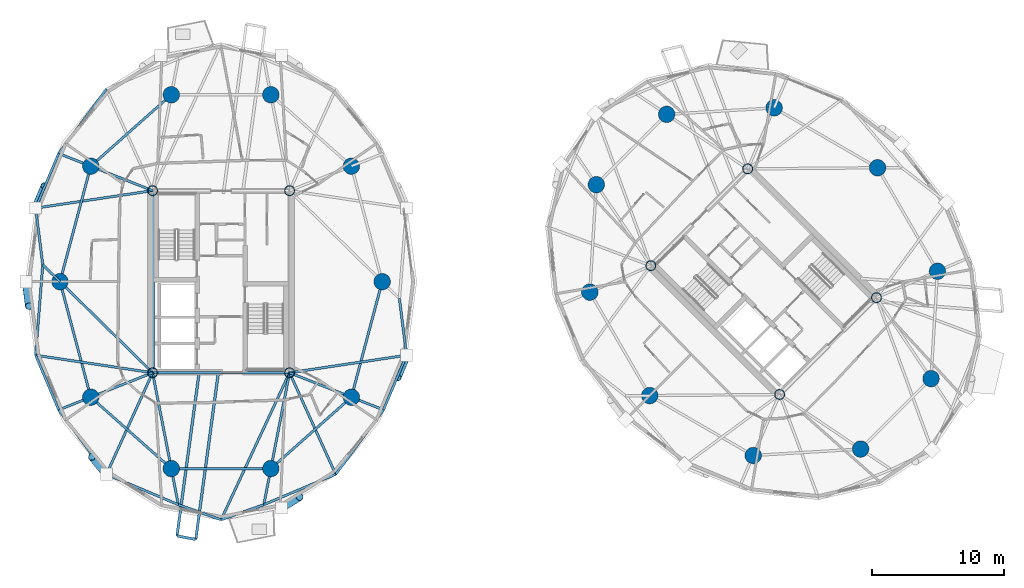
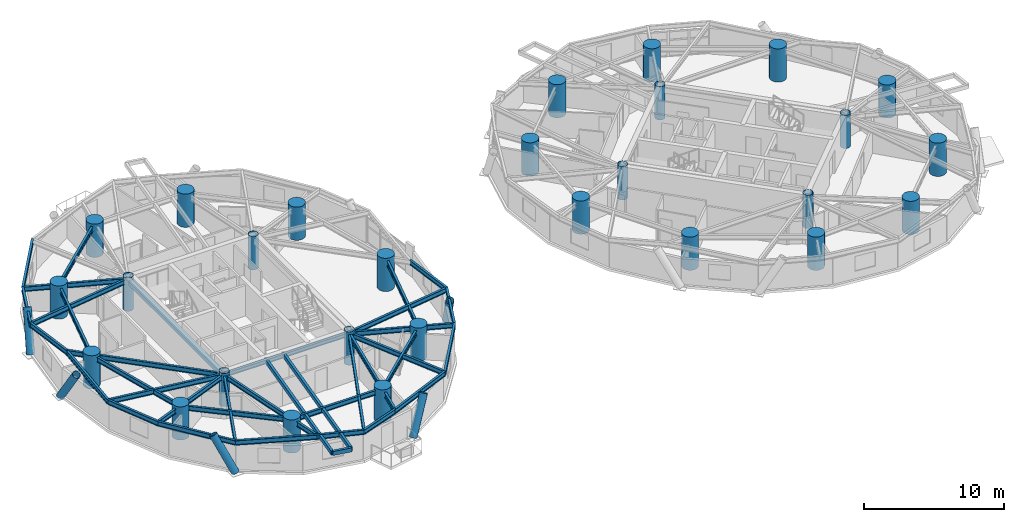
# One storey, part 1 of 19: 38 beams, 28 columns, 5 members.
"""IFC4 building model written with IfcOpenShell, lengths in metres."""

from ifc_helpers import new_model, si_unit, direction, frame, origin, origin_2d, place, context, subcontext, project, spatial, hollow_rectangle, circle, hollow_circle, i_section, extrude, material, material_profile, profile_set, type_object, element, save


model = new_model("IFC4")

# Units and contexts
model_context = context("Model", 3, precision=1e-05, world=origin(), true_north=direction((0.0, 1.0)))
body_context = subcontext(model_context, "Body", "Model", "MODEL_VIEW")
ifc_project = project(units=[si_unit("LENGTHUNIT", "METRE"), si_unit("AREAUNIT", "SQUARE_METRE"), si_unit("VOLUMEUNIT", "CUBIC_METRE"), si_unit("PLANEANGLEUNIT", "RADIAN"), si_unit("MASSUNIT", "GRAM", prefix="KILO")], contexts=[model_context])

# Site, building, storey
site_placement = place(None, origin())
site = spatial("IfcSite", under=ifc_project, at=site_placement, CompositionType="ELEMENT")
building_placement = place(site_placement, origin())
building = spatial("IfcBuilding", under=site, at=building_placement, Name="Cununo Teusaquillo Station Towers", CompositionType="ELEMENT")
storey_placement = place(building_placement, frame((0.0, 0.0, 151.60009765625)))
storey = spatial("IfcBuildingStorey", under=building, at=storey_placement, Name="L47", CompositionType="ELEMENT", Elevation=151.60009765625)

# Columns
ifc_material_1 = material(Name="Steel EN 10025-2 S355J2", Category="steel")
ifc_material_profile_1 = material_profile(ifc_material_1, hollow_circle(Radius=0.3798828125, WallThickness=0.031982421875, at=origin_2d()), Name="CHS 760x32")
ifc_profile_set_1 = profile_set([ifc_material_profile_1], Name="Steel EN 10025-2 S355J2")
column_type_1 = type_object("IfcColumnType", Name="COL-CORE-Z2", PredefinedType="COLUMN", material=ifc_profile_set_1)
for number, where, z_axis, x_axis, name in (
    (1, (11.324951171875, 17.6201171875, 0.0), (0.0, 0.0, 1.0), (1.0, 0.0, 0.0), "L47 Tower A Core Column 1"),
    (2, (11.324951171875, 31.3798828125, 0.0), (0.0, 0.0, 1.0), (1.0, 0.0, 0.0), "L47 Tower A Core Column 2"),
    (3, (21.675048828125, 17.6201171875, 0.0), (0.0, 0.0, 1.0), (1.0, 0.0, 0.0), "L47 Tower A Core Column 3"),
    (4, (21.675048828125, 31.3798828125, 0.0), (0.0, 0.0, 1.0), (1.0, 0.0, 0.0), "L47 Tower A Core Column 4"),
    (5, (58.70556640625, 15.975830078125, 0.0), (0.0, 0.0, 1.0), (0.707106781187, 0.707106781187, 0.0), "L47 Tower B Core Column 1"),
    (6, (48.975830078125, 25.70556640625, 0.0), (0.0, 0.0, 1.0), (0.707106781187, 0.707106781187, 0.0), "L47 Tower B Core Column 2"),
    (7, (66.024169921875, 23.29443359375, 0.0), (0.0, 0.0, 1.0), (0.707106781187, 0.707106781187, 0.0), "L47 Tower B Core Column 3"),
    (8, (56.29443359375, 33.024169921875, 0.0), (0.0, 0.0, 1.0), (0.707106781187, 0.707106781187, 0.0), "L47 Tower B Core Column 4"),
):
    element("IfcColumn", number, at=place(storey_placement, frame(where, z_axis=z_axis, x_axis=x_axis)), inside=storey, type_object=column_type_1, Name=name, PredefinedType="COLUMN", context=body_context, shape_type="SweptSolid", body=[
        extrude(hollow_circle(Radius=0.3798828125, WallThickness=0.031982421875, at=origin_2d()), origin(), (0.0, 0.0, 1.0), 2.909912109375),
    ])
ifc_material_2 = material(Name="Concrete C60/75", Category="concrete")
ifc_material_profile_2 = material_profile(ifc_material_2, circle(Radius=0.625, at=origin_2d()), Name="RC-CIRC-1250")
ifc_profile_set_2 = profile_set([ifc_material_profile_2], Name="Concrete C60/75")
column_type_2 = type_object("IfcColumnType", Name="COL-MEGA-Z3", PredefinedType="USERDEFINED", material=ifc_profile_set_2)
for number, where, z_axis, x_axis, name in (
    (9, (28.672119140625, 24.5, 0.0), (0.0, 0.0, 1.0), (1.0, 0.0, 0.0), "L47 Tower A Perimeter Column V00"),
    (10, (26.347412109375, 33.228515625, 0.0), (0.0, 0.0, 1.0), (1.0, 0.0, 0.0), "L47 Tower A Perimeter Column V02"),
    (11, (20.261474609375, 38.623291015625, 0.0), (0.0, 0.0, 1.0), (1.0, 0.0, 0.0), "L47 Tower A Perimeter Column V04"),
    (12, (12.738525390625, 38.623291015625, 0.0), (0.0, 0.0, 1.0), (1.0, 0.0, 0.0), "L47 Tower A Perimeter Column V06"),
    (13, (6.652587890625, 33.228515625, 0.0), (0.0, 0.0, 1.0), (1.0, 0.0, 0.0), "L47 Tower A Perimeter Column V08"),
    (14, (4.327880859375, 24.5, 0.0), (0.0, 0.0, 1.0), (1.0, 0.0, 0.0), "L47 Tower A Perimeter Column V10"),
    (15, (6.652587890625, 15.771484375, 0.0), (0.0, 0.0, 1.0), (1.0, 0.0, 0.0), "L47 Tower A Perimeter Column V12"),
    (16, (12.738525390625, 10.376708984375, 0.0), (0.0, 0.0, 1.0), (1.0, 0.0, 0.0), "L47 Tower A Perimeter Column V14"),
    (17, (20.261474609375, 10.376708984375, 0.0), (0.0, 0.0, 1.0), (1.0, 0.0, 0.0), "L47 Tower A Perimeter Column V16"),
    (18, (26.347412109375, 15.771484375, 0.0), (0.0, 0.0, 1.0), (1.0, 0.0, 0.0), "L47 Tower A Perimeter Column V18"),
    (19, (66.10693359375, 33.10693359375, 0.0), (0.0, 0.0, 1.0), (1.0, 0.0, 0.0), "L47 Tower B Perimeter Column V00"),
    (20, (58.291015625, 37.63525390625, 0.0), (0.0, 0.0, 1.0), (1.0, 0.0, 0.0), "L47 Tower B Perimeter Column V02"),
    (21, (50.173095703125, 37.146240234375, 0.0), (0.0, 0.0, 1.0), (1.0, 0.0, 0.0), "L47 Tower B Perimeter Column V04"),
    (22, (44.853759765625, 31.826904296875, 0.0), (0.0, 0.0, 1.0), (1.0, 0.0, 0.0), "L47 Tower B Perimeter Column V06"),
    (23, (44.36474609375, 23.708984375, 0.0), (0.0, 0.0, 1.0), (1.0, 0.0, 0.0), "L47 Tower B Perimeter Column V08"),
    (24, (48.89306640625, 15.89306640625, 0.0), (0.0, 0.0, 1.0), (1.0, 0.0, 0.0), "L47 Tower B Perimeter Column V10"),
    (25, (56.708984375, 11.36474609375, 0.0), (0.0, 0.0, 1.0), (1.0, 0.0, 0.0), "L47 Tower B Perimeter Column V12"),
    (26, (64.826904296875, 11.853759765625, 0.0), (0.0, 0.0, 1.0), (1.0, 0.0, 0.0), "L47 Tower B Perimeter Column V14"),
    (27, (70.146240234375, 17.173095703125, 0.0), (0.0, 0.0, 1.0), (1.0, 0.0, 0.0), "L47 Tower B Perimeter Column V16"),
    (28, (70.63525390625, 25.291015625, 0.0), (0.0, 0.0, 1.0), (1.0, 0.0, 0.0), "L47 Tower B Perimeter Column V18"),
):
    element("IfcColumn", number, at=place(storey_placement, frame(where, z_axis=z_axis, x_axis=x_axis)), inside=storey, type_object=column_type_2, Name=name, ObjectType="MEGA COLUMN", PredefinedType="USERDEFINED", context=body_context, shape_type="SweptSolid", body=[
        extrude(circle(Radius=0.625, at=origin_2d()), origin(), (0.0, 0.0, 1.0), 2.909912109375),
    ])

# Beams
ifc_material_3 = material(Name="Steel EN 10025-2 S355J2", Category="steel")
ifc_material_profile_3 = material_profile(ifc_material_3, hollow_rectangle(XDim=0.199951171875, YDim=0.35009765625, WallThickness=0.013916015625, at=origin_2d()), Name="RHS 350x200x14")
ifc_profile_set_3 = profile_set([ifc_material_profile_3], Name="Steel EN 10025-2 S355J2")
beam_type_1 = type_object("IfcBeamType", Name="BM-BAL-CANT", PredefinedType="BEAM", material=ifc_profile_set_3)
beam_1_placement = place(storey_placement, frame((14.872314453125, 17.85009765625, 2.514892578125), z_axis=(-0.134274846508, -0.990944128392, 0.0), x_axis=(0.990944128392, -0.134274846508, 0.0)))
element("IfcBeam", 29, at=beam_1_placement, inside=storey, type_object=beam_type_1, Name="L47 Tower A Balcony Cantilever Bracket 2A", PredefinedType="BEAM", context=body_context, shape_type="SweptSolid", body=[
    extrude(hollow_rectangle(XDim=0.199951171875, YDim=0.35009765625, WallThickness=0.013916015625, at=origin_2d()), origin(), (0.0, 0.0, 1.0), 12.671142578125),
])
beam_2_placement = place(storey_placement, frame((16.325439453125, 17.85009765625, 2.514892578125), z_axis=(-0.13427925042, -0.990943531644, 0.0), x_axis=(0.990943531644, -0.13427925042, 0.0)))
element("IfcBeam", 30, at=beam_2_placement, inside=storey, type_object=beam_type_1, Name="L47 Tower A Balcony Cantilever Bracket 2B", PredefinedType="BEAM", context=body_context, shape_type="SweptSolid", body=[
    extrude(hollow_rectangle(XDim=0.199951171875, YDim=0.35009765625, WallThickness=0.013916015625, at=origin_2d()), origin(), (0.0, 0.0, 1.0), 12.947021484375),
])
ifc_material_4 = material(Name="Steel EN 10025-2 S355J2", Category="steel")
ifc_material_profile_4 = material_profile(ifc_material_4, hollow_rectangle(XDim=0.25, YDim=0.449951171875, WallThickness=0.01611328125, at=origin_2d()), Name="RHS 450x250x16")
ifc_profile_set_4 = profile_set([ifc_material_profile_4], Name="Steel EN 10025-2 S355J2")
beam_type_2 = type_object("IfcBeamType", Name="BM-COUP-1", PredefinedType="USERDEFINED", material=ifc_profile_set_4)
beam_3_placement = place(storey_placement, frame((11.324951171875, 17.6201171875, 2.46484375), z_axis=(0.0, 1.0, 0.0), x_axis=(-1.0, 0.0, 0.0)))
element("IfcBeam", 31, at=beam_3_placement, inside=storey, type_object=beam_type_2, Name="L47 Tower A Core Beam 1", ObjectType="COUPLING BEAM", PredefinedType="USERDEFINED", context=body_context, shape_type="SweptSolid", body=[
    extrude(hollow_rectangle(XDim=0.25, YDim=0.449951171875, WallThickness=0.01611328125, at=origin_2d()), origin(), (0.0, 0.0, 1.0), 13.759765625),
])
ifc_material_5 = material(Name="Steel ASTM A572 Grade 50", Category="steel")
ifc_material_profile_5 = material_profile(ifc_material_5, i_section(OverallWidth=0.180908203125, OverallDepth=0.4169921875, WebThickness=0.010986328125, FlangeThickness=0.018310546875, FilletRadius=0.012939453125, at=origin_2d()), Name="W16X57")
ifc_profile_set_5 = profile_set([ifc_material_profile_5], Name="Steel ASTM A572 Grade 50")
beam_type_3 = type_object("IfcBeamType", Name="BM-JOIST-1", PredefinedType="JOIST", material=ifc_profile_set_5)
for number, where, z_axis, x_axis, name in (
    (32, (11.324951171875, 31.3798828125, 2.4814453125), (-0.989018754675, -0.147790063606, 0.0), (0.147790063606, -0.989018754675, 0.0), "L47 Tower A Radial Spandrel Joist V09"),
    (33, (11.324951171875, 17.6201171875, 2.4814453125), (-0.989018754675, 0.147790063606, 0.0), (-0.147790063606, -0.989018754675, 0.0), "L47 Tower A Radial Spandrel Joist V11"),
):
    element("IfcBeam", number, at=place(storey_placement, frame(where, z_axis=z_axis, x_axis=x_axis)), inside=storey, type_object=beam_type_3, Name=name, PredefinedType="JOIST", context=body_context, shape_type="SweptSolid", body=[
        extrude(i_section(OverallWidth=0.180908203125, OverallDepth=0.4169921875, WebThickness=0.010986328125, FlangeThickness=0.018310546875, FilletRadius=0.012939453125, at=origin_2d()), origin(), (0.0, 0.0, 1.0), 8.93701171875),
    ])
beam_4_placement = place(storey_placement, frame((11.324951171875, 17.6201171875, 2.4814453125), z_axis=(-0.413558514621, -0.910477542274, 0.0), x_axis=(0.910477542274, -0.413558514621, 0.0)))
element("IfcBeam", 34, at=beam_4_placement, inside=storey, type_object=beam_type_3, Name="L47 Tower A Radial Spandrel Joist V13", PredefinedType="JOIST", context=body_context, shape_type="SweptSolid", body=[
    extrude(i_section(OverallWidth=0.180908203125, OverallDepth=0.4169921875, WebThickness=0.010986328125, FlangeThickness=0.018310546875, FilletRadius=0.012939453125, at=origin_2d()), origin(), (0.0, 0.0, 1.0), 8.428955078125),
])
beam_5_placement = place(storey_placement, frame((21.675048828125, 17.6201171875, 2.4814453125), z_axis=(-0.422237603969, -0.906485193368, 0.0), x_axis=(0.906485193368, -0.422237603969, 0.0)))
element("IfcBeam", 35, at=beam_5_placement, inside=storey, type_object=beam_type_3, Name="L47 Tower A Radial Spandrel Joist V15", PredefinedType="JOIST", context=body_context, shape_type="SweptSolid", body=[
    extrude(i_section(OverallWidth=0.180908203125, OverallDepth=0.4169921875, WebThickness=0.010986328125, FlangeThickness=0.018310546875, FilletRadius=0.012939453125, at=origin_2d()), origin(), (0.0, 0.0, 1.0), 12.25634765625),
])
beam_6_placement = place(storey_placement, frame((21.675048828125, 17.6201171875, 2.4814453125), z_axis=(0.413558514621, -0.910477542274, 0.0), x_axis=(0.910477542274, 0.413558514621, 0.0)))
element("IfcBeam", 36, at=beam_6_placement, inside=storey, type_object=beam_type_3, Name="L47 Tower A Radial Spandrel Joist V17", PredefinedType="JOIST", context=body_context, shape_type="SweptSolid", body=[
    extrude(i_section(OverallWidth=0.180908203125, OverallDepth=0.4169921875, WebThickness=0.010986328125, FlangeThickness=0.018310546875, FilletRadius=0.012939453125, at=origin_2d()), origin(), (0.0, 0.0, 1.0), 8.428955078125),
])
beam_7_placement = place(storey_placement, frame((21.675048828125, 17.6201171875, 2.4814453125), z_axis=(0.989018754675, 0.147790063606, 0.0), x_axis=(-0.147790063606, 0.989018754675, 0.0)))
element("IfcBeam", 37, at=beam_7_placement, inside=storey, type_object=beam_type_3, Name="L47 Tower A Radial Spandrel Joist V19", PredefinedType="JOIST", context=body_context, shape_type="SweptSolid", body=[
    extrude(i_section(OverallWidth=0.180908203125, OverallDepth=0.4169921875, WebThickness=0.010986328125, FlangeThickness=0.018310546875, FilletRadius=0.012939453125, at=origin_2d()), origin(), (0.0, 0.0, 1.0), 8.93701171875),
])
ifc_material_6 = material(Name="Steel ASTM A572 Grade 50", Category="steel")
ifc_material_profile_6 = material_profile(ifc_material_6, i_section(OverallWidth=0.2041015625, OverallDepth=0.35009765625, WebThickness=0.008544921875, FlangeThickness=0.01513671875, FilletRadius=0.011962890625, at=origin_2d()), Name="W14X48")
ifc_profile_set_6 = profile_set([ifc_material_profile_6], Name="Steel ASTM A572 Grade 50")
beam_type_4 = type_object("IfcBeamType", Name="BM-LINTEL-1", PredefinedType="LINTEL", material=ifc_profile_set_6)
beam_8_placement = place(storey_placement, frame((11.324951171875, 17.6201171875, 2.514892578125), z_axis=(1.0, 0.0, 0.0), x_axis=(0.0, 1.0, 0.0)))
element("IfcBeam", 38, at=beam_8_placement, inside=storey, type_object=beam_type_4, Name="L47 Tower A Core Beam 3", PredefinedType="LINTEL", context=body_context, shape_type="SweptSolid", body=[
    extrude(i_section(OverallWidth=0.2041015625, OverallDepth=0.35009765625, WebThickness=0.008544921875, FlangeThickness=0.01513671875, FilletRadius=0.011962890625, at=origin_2d()), origin(), (0.0, 0.0, 1.0), 10.35009765625),
])
ifc_material_7 = material(Name="Steel ASTM A572 Grade 50", Category="steel")
ifc_material_profile_7 = material_profile(ifc_material_7, i_section(OverallWidth=0.180908203125, OverallDepth=0.4169921875, WebThickness=0.010986328125, FlangeThickness=0.018310546875, FilletRadius=0.012939453125, at=origin_2d()), Name="W16X57")
ifc_profile_set_7 = profile_set([ifc_material_profile_7], Name="Steel ASTM A572 Grade 50")
beam_type_5 = type_object("IfcBeamType", Name="BM-RAD-G2", PredefinedType="BEAM", material=ifc_profile_set_7)
beam_9_placement = place(storey_placement, frame((11.324951171875, 31.3798828125, 2.4814453125), z_axis=(-0.929862250459, 0.367907862341, 0.0), x_axis=(-0.367907862341, -0.929862250459, 0.0)))
element("IfcBeam", 39, at=beam_9_placement, inside=storey, type_object=beam_type_5, Name="L47 Tower A Continuous Overhanging Radial Girder 05", PredefinedType="BEAM", context=body_context, shape_type="SweptSolid", body=[
    extrude(i_section(OverallWidth=0.180908203125, OverallDepth=0.4169921875, WebThickness=0.010986328125, FlangeThickness=0.018310546875, FilletRadius=0.012939453125, at=origin_2d()), origin(), (0.0, 0.0, 1.0), 7.632080078125),
])
beam_10_placement = place(storey_placement, frame((11.324951171875, 17.6201171875, 2.4814453125), z_axis=(-0.713052701438, 0.701110437073, 0.0), x_axis=(-0.701110437073, -0.713052701438, 0.0)))
element("IfcBeam", 40, at=beam_10_placement, inside=storey, type_object=beam_type_5, Name="L47 Tower A Radial Girder 06A", PredefinedType="BEAM", context=body_context, shape_type="SweptSolid", body=[
    extrude(i_section(OverallWidth=0.180908203125, OverallDepth=0.4169921875, WebThickness=0.010986328125, FlangeThickness=0.018310546875, FilletRadius=0.012939453125, at=origin_2d()), origin(), (0.0, 0.0, 1.0), 9.812744140625),
])
beam_11_placement = place(storey_placement, frame((4.327880859375, 24.5, 2.4814453125), z_axis=(-0.713027019349, 0.701136555657, 0.0), x_axis=(-0.701136555657, -0.713027019349, 0.0)))
element("IfcBeam", 41, at=beam_11_placement, inside=storey, type_object=beam_type_5, Name="L47 Tower A Perimeter Overhang Girder 06B", PredefinedType="BEAM", context=body_context, shape_type="SweptSolid", body=[
    extrude(i_section(OverallWidth=0.180908203125, OverallDepth=0.4169921875, WebThickness=0.010986328125, FlangeThickness=0.018310546875, FilletRadius=0.012939453125, at=origin_2d()), origin(), (0.0, 0.0, 1.0), 1.827392578125),
])
beam_12_placement = place(storey_placement, frame((11.324951171875, 17.6201171875, 2.4814453125), z_axis=(-0.929862250459, -0.367907862341, 0.0), x_axis=(0.367907862341, -0.929862250459, 0.0)))
element("IfcBeam", 42, at=beam_12_placement, inside=storey, type_object=beam_type_5, Name="L47 Tower A Continuous Overhanging Radial Girder 07", PredefinedType="BEAM", context=body_context, shape_type="SweptSolid", body=[
    extrude(i_section(OverallWidth=0.180908203125, OverallDepth=0.4169921875, WebThickness=0.010986328125, FlangeThickness=0.018310546875, FilletRadius=0.012939453125, at=origin_2d()), origin(), (0.0, 0.0, 1.0), 7.632080078125),
])
for number, where, z_axis, x_axis, name in (
    (43, (11.324951171875, 17.6201171875, 2.4814453125), (0.191552706487, -0.981482328235, 0.0), (0.981482328235, 0.191552706487, 0.0), "L47 Tower A Continuous Overhanging Radial Girder 08"),
    (44, (21.675048828125, 17.6201171875, 2.4814453125), (-0.191552706487, -0.981482328235, 0.0), (0.981482328235, -0.191552706487, 0.0), "L47 Tower A Continuous Overhanging Radial Girder 09"),
):
    element("IfcBeam", number, at=place(storey_placement, frame(where, z_axis=z_axis, x_axis=x_axis)), inside=storey, type_object=beam_type_5, Name=name, PredefinedType="BEAM", context=body_context, shape_type="SweptSolid", body=[
        extrude(i_section(OverallWidth=0.180908203125, OverallDepth=0.4169921875, WebThickness=0.010986328125, FlangeThickness=0.018310546875, FilletRadius=0.012939453125, at=origin_2d()), origin(), (0.0, 0.0, 1.0), 10.159423828125),
    ])
beam_13_placement = place(storey_placement, frame((21.675048828125, 17.6201171875, 2.4814453125), z_axis=(0.929862250459, -0.367907862341, 0.0), x_axis=(0.367907862341, 0.929862250459, 0.0)))
element("IfcBeam", 45, at=beam_13_placement, inside=storey, type_object=beam_type_5, Name="L47 Tower A Continuous Overhanging Radial Girder 10", PredefinedType="BEAM", context=body_context, shape_type="SweptSolid", body=[
    extrude(i_section(OverallWidth=0.180908203125, OverallDepth=0.4169921875, WebThickness=0.010986328125, FlangeThickness=0.018310546875, FilletRadius=0.012939453125, at=origin_2d()), origin(), (0.0, 0.0, 1.0), 7.632080078125),
])
ifc_material_8 = material(Name="Steel ASTM A572 Grade 50", Category="steel")
ifc_material_profile_8 = material_profile(ifc_material_8, i_section(OverallWidth=0.180908203125, OverallDepth=0.4169921875, WebThickness=0.010986328125, FlangeThickness=0.018310546875, FilletRadius=0.012939453125, at=origin_2d()), Name="W16X57")
ifc_profile_set_8 = profile_set([ifc_material_profile_8], Name="Steel ASTM A572 Grade 50")
beam_type_6 = type_object("IfcBeamType", Name="BM-RING-Z3", PredefinedType="SPANDREL", material=ifc_profile_set_8)
beam_14_placement = place(storey_placement, frame((12.738525390625, 38.623291015625, 2.4814453125), z_axis=(-0.74832120039, -0.66333655187, 0.0), x_axis=(0.66333655187, -0.74832120039, 0.0)))
element("IfcBeam", 46, at=beam_14_placement, inside=storey, type_object=beam_type_6, Name="L47 Tower A Structural Column Ring Girder 04", PredefinedType="SPANDREL", context=body_context, shape_type="SweptSolid", body=[
    extrude(i_section(OverallWidth=0.180908203125, OverallDepth=0.4169921875, WebThickness=0.010986328125, FlangeThickness=0.018310546875, FilletRadius=0.012939453125, at=origin_2d()), origin(), (0.0, 0.0, 1.0), 8.1328125),
])
for number, where, z_axis, x_axis, name in (
    (47, (6.652587890625, 33.228515625, 2.4814453125), (-0.257363196347, -0.966314744359, 0.0), (0.966314744359, -0.257363196347, 0.0), "L47 Tower A Structural Column Ring Girder 05"),
    (48, (4.327880859375, 24.5, 2.4814453125), (0.257363196347, -0.966314744359, 0.0), (0.966314744359, 0.257363196347, 0.0), "L47 Tower A Structural Column Ring Girder 06"),
):
    element("IfcBeam", number, at=place(storey_placement, frame(where, z_axis=z_axis, x_axis=x_axis)), inside=storey, type_object=beam_type_6, Name=name, PredefinedType="SPANDREL", context=body_context, shape_type="SweptSolid", body=[
        extrude(i_section(OverallWidth=0.180908203125, OverallDepth=0.4169921875, WebThickness=0.010986328125, FlangeThickness=0.018310546875, FilletRadius=0.012939453125, at=origin_2d()), origin(), (0.0, 0.0, 1.0), 9.03271484375),
    ])
beam_15_placement = place(storey_placement, frame((6.652587890625, 15.771484375, 2.4814453125), z_axis=(0.74832120039, -0.66333655187, 0.0), x_axis=(0.66333655187, 0.74832120039, 0.0)))
element("IfcBeam", 49, at=beam_15_placement, inside=storey, type_object=beam_type_6, Name="L47 Tower A Structural Column Ring Girder 07", PredefinedType="SPANDREL", context=body_context, shape_type="SweptSolid", body=[
    extrude(i_section(OverallWidth=0.180908203125, OverallDepth=0.4169921875, WebThickness=0.010986328125, FlangeThickness=0.018310546875, FilletRadius=0.012939453125, at=origin_2d()), origin(), (0.0, 0.0, 1.0), 8.1328125),
])
beam_16_placement = place(storey_placement, frame((12.738525390625, 10.376708984375, 2.4814453125), z_axis=(1.0, 0.0, 0.0), x_axis=(0.0, 1.0, 0.0)))
element("IfcBeam", 50, at=beam_16_placement, inside=storey, type_object=beam_type_6, Name="L47 Tower A Structural Column Ring Girder 08", PredefinedType="SPANDREL", context=body_context, shape_type="SweptSolid", body=[
    extrude(i_section(OverallWidth=0.180908203125, OverallDepth=0.4169921875, WebThickness=0.010986328125, FlangeThickness=0.018310546875, FilletRadius=0.012939453125, at=origin_2d()), origin(), (0.0, 0.0, 1.0), 7.52294921875),
])
beam_17_placement = place(storey_placement, frame((20.261474609375, 10.376708984375, 2.4814453125), z_axis=(0.74832120039, 0.66333655187, 0.0), x_axis=(-0.66333655187, 0.74832120039, 0.0)))
element("IfcBeam", 51, at=beam_17_placement, inside=storey, type_object=beam_type_6, Name="L47 Tower A Structural Column Ring Girder 09", PredefinedType="SPANDREL", context=body_context, shape_type="SweptSolid", body=[
    extrude(i_section(OverallWidth=0.180908203125, OverallDepth=0.4169921875, WebThickness=0.010986328125, FlangeThickness=0.018310546875, FilletRadius=0.012939453125, at=origin_2d()), origin(), (0.0, 0.0, 1.0), 8.1328125),
])
beam_18_placement = place(storey_placement, frame((26.347412109375, 15.771484375, 2.4814453125), z_axis=(0.257363196347, 0.966314744359, 0.0), x_axis=(-0.966314744359, 0.257363196347, 0.0)))
element("IfcBeam", 52, at=beam_18_placement, inside=storey, type_object=beam_type_6, Name="L47 Tower A Structural Column Ring Girder 10", PredefinedType="SPANDREL", context=body_context, shape_type="SweptSolid", body=[
    extrude(i_section(OverallWidth=0.180908203125, OverallDepth=0.4169921875, WebThickness=0.010986328125, FlangeThickness=0.018310546875, FilletRadius=0.012939453125, at=origin_2d()), origin(), (0.0, 0.0, 1.0), 9.03271484375),
])
beam_19_placement = place(storey_placement, frame((7.839111328125, 39.05419921875, 2.4814453125), z_axis=(-0.595872908853, -0.803078748626, 0.0), x_axis=(0.803078748626, -0.595872908853, 0.0)))
element("IfcBeam", 53, at=beam_19_placement, inside=storey, type_object=beam_type_6, Name="L47 Tower A Spandrel Ring Beam 08", PredefinedType="SPANDREL", context=body_context, shape_type="SweptSolid", body=[
    extrude(i_section(OverallWidth=0.180908203125, OverallDepth=0.4169921875, WebThickness=0.010986328125, FlangeThickness=0.018310546875, FilletRadius=0.012939453125, at=origin_2d()), origin(), (0.0, 0.0, 1.0), 6.059814453125),
])
beam_20_placement = place(storey_placement, frame((4.228271484375, 34.187744140625, 2.4814453125), z_axis=(-0.388777827816, -0.921331536744, 0.0), x_axis=(0.921331536744, -0.388777827816, 0.0)))
element("IfcBeam", 54, at=beam_20_placement, inside=storey, type_object=beam_type_6, Name="L47 Tower A Spandrel Ring Beam 09", PredefinedType="SPANDREL", context=body_context, shape_type="SweptSolid", body=[
    extrude(i_section(OverallWidth=0.180908203125, OverallDepth=0.4169921875, WebThickness=0.010986328125, FlangeThickness=0.018310546875, FilletRadius=0.012939453125, at=origin_2d()), origin(), (0.0, 0.0, 1.0), 4.481201171875),
])
beam_21_placement = place(storey_placement, frame((2.486083984375, 30.05908203125, 2.4814453125), z_axis=(0.124968535363, -0.992160705314, 0.0), x_axis=(0.992160705314, 0.124968535363, 0.0)))
element("IfcBeam", 55, at=beam_21_placement, inside=storey, type_object=beam_type_6, Name="L47 Tower A Spandrel Ring Beam 10", PredefinedType="SPANDREL", context=body_context, shape_type="SweptSolid", body=[
    extrude(i_section(OverallWidth=0.180908203125, OverallDepth=0.4169921875, WebThickness=0.010986328125, FlangeThickness=0.018310546875, FilletRadius=0.012939453125, at=origin_2d()), origin(), (0.0, 0.0, 1.0), 4.3115234375),
])
beam_22_placement = place(storey_placement, frame((3.02490234375, 25.78125, 2.4814453125), z_axis=(-0.078527541639, -0.996911944559, 0.0), x_axis=(0.996911944559, -0.078527541639, 0.0)))
element("IfcBeam", 56, at=beam_22_placement, inside=storey, type_object=beam_type_6, Name="L47 Tower A Spandrel Ring Beam 11", PredefinedType="SPANDREL", context=body_context, shape_type="SweptSolid", body=[
    extrude(i_section(OverallWidth=0.180908203125, OverallDepth=0.4169921875, WebThickness=0.010986328125, FlangeThickness=0.018310546875, FilletRadius=0.012939453125, at=origin_2d()), origin(), (0.0, 0.0, 1.0), 6.861572265625),
])
beam_23_placement = place(storey_placement, frame((2.486083984375, 18.94091796875, 2.4814453125), z_axis=(0.388777827816, -0.921331536744, 0.0), x_axis=(0.921331536744, 0.388777827816, 0.0)))
element("IfcBeam", 57, at=beam_23_placement, inside=storey, type_object=beam_type_6, Name="L47 Tower A Spandrel Ring Beam 12", PredefinedType="SPANDREL", context=body_context, shape_type="SweptSolid", body=[
    extrude(i_section(OverallWidth=0.180908203125, OverallDepth=0.4169921875, WebThickness=0.010986328125, FlangeThickness=0.018310546875, FilletRadius=0.012939453125, at=origin_2d()), origin(), (0.0, 0.0, 1.0), 4.481201171875),
])
beam_24_placement = place(storey_placement, frame((4.228271484375, 14.812255859375, 2.4814453125), z_axis=(0.595872908853, -0.803078748626, 0.0), x_axis=(0.803078748626, 0.595872908853, 0.0)))
element("IfcBeam", 58, at=beam_24_placement, inside=storey, type_object=beam_type_6, Name="L47 Tower A Spandrel Ring Beam 13", PredefinedType="SPANDREL", context=body_context, shape_type="SweptSolid", body=[
    extrude(i_section(OverallWidth=0.180908203125, OverallDepth=0.4169921875, WebThickness=0.010986328125, FlangeThickness=0.018310546875, FilletRadius=0.012939453125, at=origin_2d()), origin(), (0.0, 0.0, 1.0), 6.059814453125),
])
beam_25_placement = place(storey_placement, frame((7.839111328125, 9.94580078125, 2.4814453125), z_axis=(0.921042081118, -0.38946307246, 0.0), x_axis=(0.38946307246, 0.921042081118, 0.0)))
element("IfcBeam", 59, at=beam_25_placement, inside=storey, type_object=beam_type_6, Name="L47 Tower A Spandrel Ring Beam 14", PredefinedType="SPANDREL", context=body_context, shape_type="SweptSolid", body=[
    extrude(i_section(OverallWidth=0.180908203125, OverallDepth=0.4169921875, WebThickness=0.010986328125, FlangeThickness=0.018310546875, FilletRadius=0.012939453125, at=origin_2d()), origin(), (0.0, 0.0, 1.0), 5.8974609375),
])
for number, where, z_axis, x_axis, name in (
    (60, (13.27099609375, 7.64892578125, 2.4814453125), (0.943057449198, -0.332629895698, 0.0), (0.332629895698, 0.943057449198, 0.0), "L47 Tower A Spandrel Ring Beam 15"),
    (61, (16.5, 6.510009765625, 2.4814453125), (0.943057449198, 0.332629895698, 0.0), (-0.332629895698, 0.943057449198, 0.0), "L47 Tower A Spandrel Ring Beam 16"),
):
    element("IfcBeam", number, at=place(storey_placement, frame(where, z_axis=z_axis, x_axis=x_axis)), inside=storey, type_object=beam_type_6, Name=name, PredefinedType="SPANDREL", context=body_context, shape_type="SweptSolid", body=[
        extrude(i_section(OverallWidth=0.180908203125, OverallDepth=0.4169921875, WebThickness=0.010986328125, FlangeThickness=0.018310546875, FilletRadius=0.012939453125, at=origin_2d()), origin(), (0.0, 0.0, 1.0), 3.424072265625),
    ])
beam_26_placement = place(storey_placement, frame((19.72900390625, 7.64892578125, 2.4814453125), z_axis=(0.921042081118, 0.38946307246, 0.0), x_axis=(-0.38946307246, 0.921042081118, 0.0)))
element("IfcBeam", 62, at=beam_26_placement, inside=storey, type_object=beam_type_6, Name="L47 Tower A Spandrel Ring Beam 17", PredefinedType="SPANDREL", context=body_context, shape_type="SweptSolid", body=[
    extrude(i_section(OverallWidth=0.180908203125, OverallDepth=0.4169921875, WebThickness=0.010986328125, FlangeThickness=0.018310546875, FilletRadius=0.012939453125, at=origin_2d()), origin(), (0.0, 0.0, 1.0), 5.8974609375),
])
beam_27_placement = place(storey_placement, frame((25.160888671875, 9.94580078125, 2.4814453125), z_axis=(0.595872908853, 0.803078748626, 0.0), x_axis=(-0.803078748626, 0.595872908853, 0.0)))
element("IfcBeam", 63, at=beam_27_placement, inside=storey, type_object=beam_type_6, Name="L47 Tower A Spandrel Ring Beam 18", PredefinedType="SPANDREL", context=body_context, shape_type="SweptSolid", body=[
    extrude(i_section(OverallWidth=0.180908203125, OverallDepth=0.4169921875, WebThickness=0.010986328125, FlangeThickness=0.018310546875, FilletRadius=0.012939453125, at=origin_2d()), origin(), (0.0, 0.0, 1.0), 6.059814453125),
])
beam_28_placement = place(storey_placement, frame((28.771728515625, 14.812255859375, 2.4814453125), z_axis=(0.388777827816, 0.921331536744, 0.0), x_axis=(-0.921331536744, 0.388777827816, 0.0)))
element("IfcBeam", 64, at=beam_28_placement, inside=storey, type_object=beam_type_6, Name="L47 Tower A Spandrel Ring Beam 19", PredefinedType="SPANDREL", context=body_context, shape_type="SweptSolid", body=[
    extrude(i_section(OverallWidth=0.180908203125, OverallDepth=0.4169921875, WebThickness=0.010986328125, FlangeThickness=0.018310546875, FilletRadius=0.012939453125, at=origin_2d()), origin(), (0.0, 0.0, 1.0), 4.481201171875),
])
beam_29_placement = place(storey_placement, frame((30.513916015625, 18.94091796875, 2.4814453125), z_axis=(-0.124968535363, 0.992160705314, 0.0), x_axis=(-0.992160705314, -0.124968535363, 0.0)))
element("IfcBeam", 65, at=beam_29_placement, inside=storey, type_object=beam_type_6, Name="L47 Tower A Spandrel Ring Beam 20", PredefinedType="SPANDREL", context=body_context, shape_type="SweptSolid", body=[
    extrude(i_section(OverallWidth=0.180908203125, OverallDepth=0.4169921875, WebThickness=0.010986328125, FlangeThickness=0.018310546875, FilletRadius=0.012939453125, at=origin_2d()), origin(), (0.0, 0.0, 1.0), 4.3115234375),
])
ifc_material_9 = material(Name="Steel EN 10025-2 S355J2", Category="steel")
ifc_material_profile_9 = material_profile(ifc_material_9, hollow_rectangle(XDim=0.199951171875, YDim=0.35009765625, WallThickness=0.013916015625, at=origin_2d()), Name="RHS 350x200x14")
ifc_profile_set_9 = profile_set([ifc_material_profile_9], Name="Steel EN 10025-2 S355J2")
beam_type_7 = type_object("IfcBeamType", Name="BM-STAIR-TRIM", PredefinedType="BEAM", material=ifc_profile_set_9)
beam_30_placement = place(storey_placement, frame((13.1708984375, 5.293701171875, 2.52490234375), z_axis=(0.981861262275, -0.189600795474, 0.0), x_axis=(0.189600795474, 0.981861262275, 0.0)))
element("IfcBeam", 66, at=beam_30_placement, inside=storey, type_object=beam_type_7, Name="L47 Tower A Balcony Edge Trimmer Beam 2", PredefinedType="BEAM", context=body_context, shape_type="SweptSolid", body=[
    extrude(hollow_rectangle(XDim=0.199951171875, YDim=0.35009765625, WallThickness=0.013916015625, at=origin_2d()), origin(), (0.0, 0.0, 1.0), 1.442138671875),
])

# Members
ifc_material_10 = material(Name="Steel EN 10025-2 S355J2", Category="steel")
ifc_material_profile_10 = material_profile(ifc_material_10, hollow_circle(Radius=0.304931640625, WallThickness=0.02001953125, at=origin_2d()), Name="CHS 610x20")
ifc_profile_set_10 = profile_set([ifc_material_profile_10], Name="Steel EN 10025-2 S355J2")
member_type = type_object("IfcMemberType", Name="MBR-DIAG-Z3", PredefinedType="BRACE", material=ifc_profile_set_10)
member_1_placement = place(storey_placement, frame((2.486083984375, 30.05908203125, -0.14013671875), z_axis=(0.20354676264, 0.487714566326, 0.848942411011), x_axis=(-0.922853492417, 0.385151180101, 0.0)))
element("IfcMember", 67, at=member_1_placement, inside=storey, type_object=member_type, Name="L47 Tower A Folded-Zigzag Diagrid Tube C08", PredefinedType="BRACE", context=body_context, shape_type="SweptSolid", body=[
    extrude(hollow_circle(Radius=0.304931640625, WallThickness=0.02001953125, at=origin_2d()), origin(), (0.0, 0.0, 1.0), 3.427978515625),
])
member_2_placement = place(storey_placement, frame((1.764892578125, 24.5, -0.14013671875), z_axis=(0.0695345604, -0.535804379123, 0.841474071034), x_axis=(0.991683988528, 0.1286968022, 0.0)))
element("IfcMember", 68, at=member_2_placement, inside=storey, type_object=member_type, Name="L47 Tower A Folded-Zigzag Diagrid Tube C10", PredefinedType="BRACE", context=body_context, shape_type="SweptSolid", body=[
    extrude(hollow_circle(Radius=0.304931640625, WallThickness=0.02001953125, at=origin_2d()), origin(), (0.0, 0.0, 1.0), 3.45849609375),
])
member_3_placement = place(storey_placement, frame((7.839111328125, 9.94580078125, -0.14013671875), z_axis=(-0.321704365244, 0.392752532181, 0.86154033559), x_axis=(-0.773608318417, -0.633664082678, 0.0)))
element("IfcMember", 69, at=member_3_placement, inside=storey, type_object=member_type, Name="L47 Tower A Folded-Zigzag Diagrid Tube C12", PredefinedType="BRACE", context=body_context, shape_type="SweptSolid", body=[
    extrude(hollow_circle(Radius=0.304931640625, WallThickness=0.02001953125, at=origin_2d()), origin(), (0.0, 0.0, 1.0), 3.3779296875),
])
member_4_placement = place(storey_placement, frame((21.053466796875, 7.390380859375, -0.14013671875), z_axis=(0.411520346825, 0.256026121625, 0.874700879841), x_axis=(-0.528255801217, 0.849085277508, 0.0)))
element("IfcMember", 70, at=member_4_placement, inside=storey, type_object=member_type, Name="L47 Tower A Folded-Zigzag Diagrid Tube C16", PredefinedType="BRACE", context=body_context, shape_type="SweptSolid", body=[
    extrude(hollow_circle(Radius=0.304931640625, WallThickness=0.02001953125, at=origin_2d()), origin(), (0.0, 0.0, 1.0), 3.3271484375),
])
member_5_placement = place(storey_placement, frame((30.513916015625, 18.94091796875, -0.14013671875), z_axis=(-0.20354676264, -0.487714566326, 0.848942411011), x_axis=(0.922853492417, -0.385151180101, 0.0)))
element("IfcMember", 71, at=member_5_placement, inside=storey, type_object=member_type, Name="L47 Tower A Folded-Zigzag Diagrid Tube C18", PredefinedType="BRACE", context=body_context, shape_type="SweptSolid", body=[
    extrude(hollow_circle(Radius=0.304931640625, WallThickness=0.02001953125, at=origin_2d()), origin(), (0.0, 0.0, 1.0), 3.427978515625),
])

save(model, "model.ifc")
